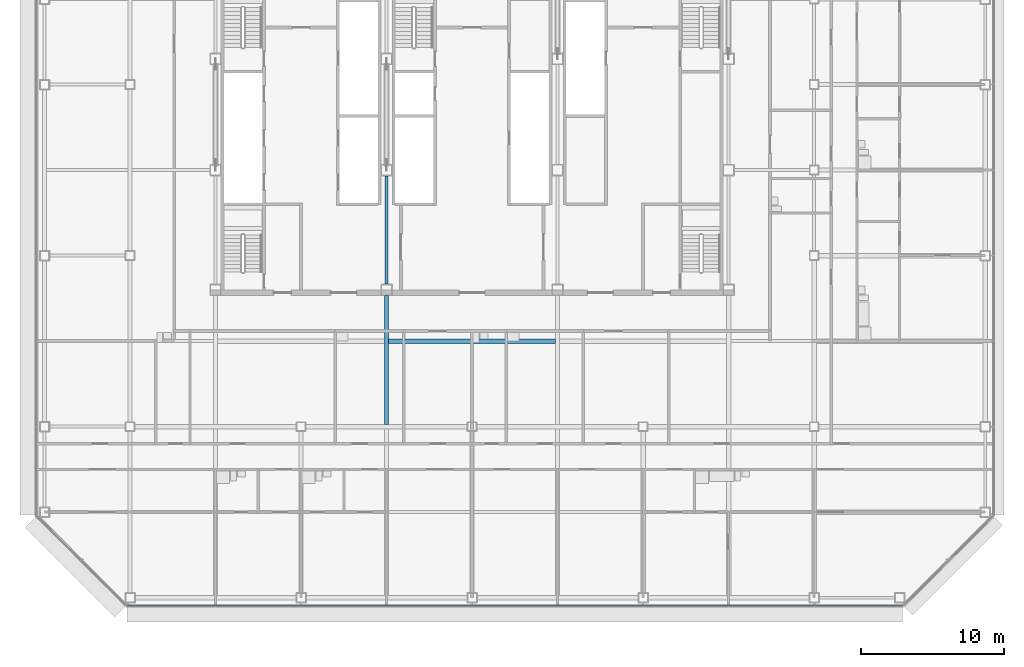
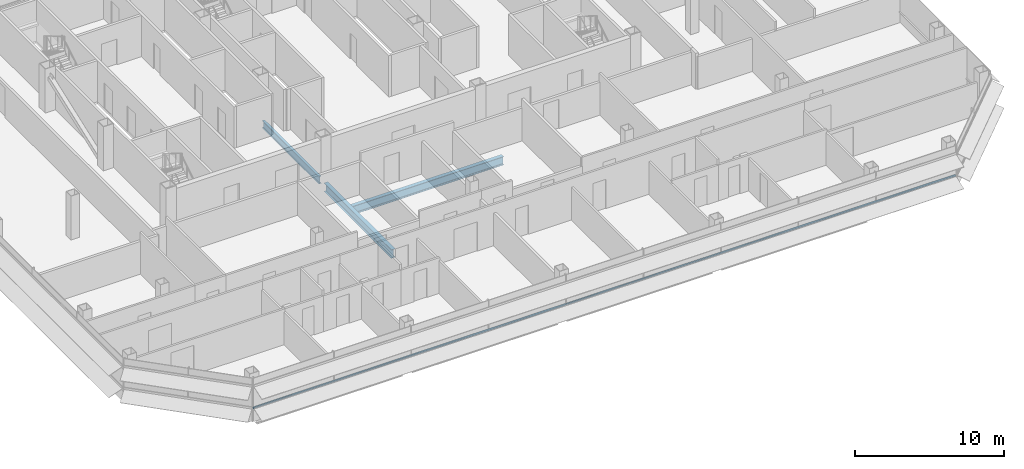
# One storey, part 7 of 26: 3 beams, 1 member, 1 element without a shape of its own.
"""IFC4 building model written with IfcOpenShell, lengths in metres."""

from ifc_helpers import new_model, si_unit, direction, frame, origin, origin_2d, place, context, subcontext, project, spatial, rectangle, i_section, extrude, material, material_profile, profile_set, type_object, element, aggregate, save


model = new_model("IFC4")

# Units and contexts
model_context = context("Model", 3, precision=1e-05, world=origin(), true_north=direction((0.0, 1.0)))
body_context = subcontext(model_context, "Body", "Model", "MODEL_VIEW")
ifc_project = project(units=[si_unit("LENGTHUNIT", "METRE"), si_unit("AREAUNIT", "SQUARE_METRE"), si_unit("VOLUMEUNIT", "CUBIC_METRE"), si_unit("PLANEANGLEUNIT", "RADIAN"), si_unit("MASSUNIT", "GRAM", prefix="KILO")], contexts=[model_context])

# Site, building, storey
site_placement = place(None, origin())
site = spatial("IfcSite", under=ifc_project, at=site_placement, CompositionType="ELEMENT")
building_placement = place(site_placement, origin())
building = spatial("IfcBuilding", under=site, at=building_placement, Name="Sorahane Residences", CompositionType="ELEMENT")
storey_placement = place(building_placement, frame((0.0, 0.0, 158.199951171875)))
storey = spatial("IfcBuildingStorey", under=building, at=storey_placement, Name="L36", CompositionType="ELEMENT", Elevation=158.199951171875)

# Curtain wall, member
ifc_material_1 = material(Name="Dark low-e glass and black anodised aluminium", Category="aluminium")
curtain_wall_type = type_object("IfcCurtainWallType", Name="Curtain wall CW-1 Typical unitised wall", PredefinedType="NOTDEFINED", material=ifc_material_1)
curtain_wall_placement = place(storey_placement, origin())
curtain_wall = element("IfcCurtainWall", 1, at=curtain_wall_placement, inside=storey, type_object=curtain_wall_type, Name="CW-1 curtain wall L36 S1", PredefinedType="NOTDEFINED")
ifc_material_2 = material(Name="Black anodised aluminium", Category="aluminium")
ifc_material_profile_1 = material_profile(ifc_material_2, rectangle(XDim=0.10009765625, YDim=0.06005859375, at=origin_2d()), Name="Curtain wall transom CW-1 black anodised aluminium 60x100")
ifc_profile_set_1 = profile_set([ifc_material_profile_1], Name="Black anodised aluminium")
member_type = type_object("IfcMemberType", Name="Curtain wall transom CW-1 black anodised aluminium 60x100", PredefinedType="USERDEFINED", material=ifc_profile_set_1)
member_placement = place(storey_placement, frame((-0.198486328125, -0.530029296875, 0.900146484375), z_axis=(1.0, 0.0, 0.0), x_axis=(0.0, 1.0, 0.0)))
member = element("IfcMember", 2, at=member_placement, type_object=member_type, Name="CW-1 transom L36 S1", ObjectType="TRANSOM", PredefinedType="USERDEFINED", context=body_context, shape_type="SweptSolid", body=[
    extrude(rectangle(XDim=0.10009765625, YDim=0.06005859375, at=origin_2d()), origin(), (0.0, 0.0, 1.0), 54.39697265625),
])
aggregate(curtain_wall, [member])

# Beams
ifc_material_3 = material(Name="Steel Q355B", Category="steel")
ifc_material_profile_2 = material_profile(ifc_material_3, i_section(OverallWidth=0.199951171875, OverallDepth=0.60009765625, WebThickness=0.010986328125, FlangeThickness=0.01708984375, FilletRadius=0.02392578125, at=origin_2d()), Name="HN 600x200x11x17")
ifc_profile_set_2 = profile_set([ifc_material_profile_2], Name="Steel Q355B")
beam_type_1 = type_object("IfcBeamType", Name="Steel floor beam HN 600x200x11x17 Q355B", PredefinedType="BEAM", material=ifc_profile_set_2)
beam_1_placement = place(storey_placement, frame((18.0, 22.0, -0.47998046875), z_axis=(0.0, 1.0, 0.0), x_axis=(-1.0, 0.0, 0.0)))
element("IfcBeam", 3, at=beam_1_placement, inside=storey, type_object=beam_type_1, Name="Beam L36 038", PredefinedType="BEAM", context=body_context, shape_type="SweptSolid", body=[
    extrude(i_section(OverallWidth=0.199951171875, OverallDepth=0.60009765625, WebThickness=0.010986328125, FlangeThickness=0.01708984375, FilletRadius=0.02392578125, at=origin_2d()), origin(), (0.0, 0.0, 1.0), 7.60009765625),
])
ifc_material_4 = material(Name="Steel Q355B", Category="steel")
ifc_material_profile_3 = material_profile(ifc_material_4, i_section(OverallWidth=0.300048828125, OverallDepth=0.699951171875, WebThickness=0.012939453125, FlangeThickness=0.02392578125, FilletRadius=0.028076171875, at=origin_2d()), Name="HN 700x300x13x24")
ifc_profile_set_3 = profile_set([ifc_material_profile_3], Name="Steel Q355B")
beam_type_2 = type_object("IfcBeamType", Name="Steel floor beam HN 700x300x13x24 Q355B", PredefinedType="BEAM", material=ifc_profile_set_3)
beam_2_placement = place(storey_placement, frame((18.0, 12.14990234375, -0.530029296875), z_axis=(0.0, 1.0, 0.0), x_axis=(-1.0, 0.0, 0.0)))
element("IfcBeam", 4, at=beam_2_placement, inside=storey, type_object=beam_type_2, Name="Beam L36 037", PredefinedType="BEAM", context=body_context, shape_type="SweptSolid", body=[
    extrude(i_section(OverallWidth=0.300048828125, OverallDepth=0.699951171875, WebThickness=0.012939453125, FlangeThickness=0.02392578125, FilletRadius=0.028076171875, at=origin_2d()), origin(), (0.0, 0.0, 1.0), 9.050048828125),
])
beam_3_placement = place(storey_placement, frame((18.14990234375, 18.0, -0.530029296875), z_axis=(1.0, 0.0, 0.0), x_axis=(0.0, 1.0, 0.0)))
element("IfcBeam", 5, at=beam_3_placement, inside=storey, type_object=beam_type_2, Name="Beam L36 081", PredefinedType="BEAM", context=body_context, shape_type="SweptSolid", body=[
    extrude(i_section(OverallWidth=0.300048828125, OverallDepth=0.699951171875, WebThickness=0.012939453125, FlangeThickness=0.02392578125, FilletRadius=0.028076171875, at=origin_2d()), origin(), (0.0, 0.0, 1.0), 11.7001953125),
])

save(model, "model.ifc")
